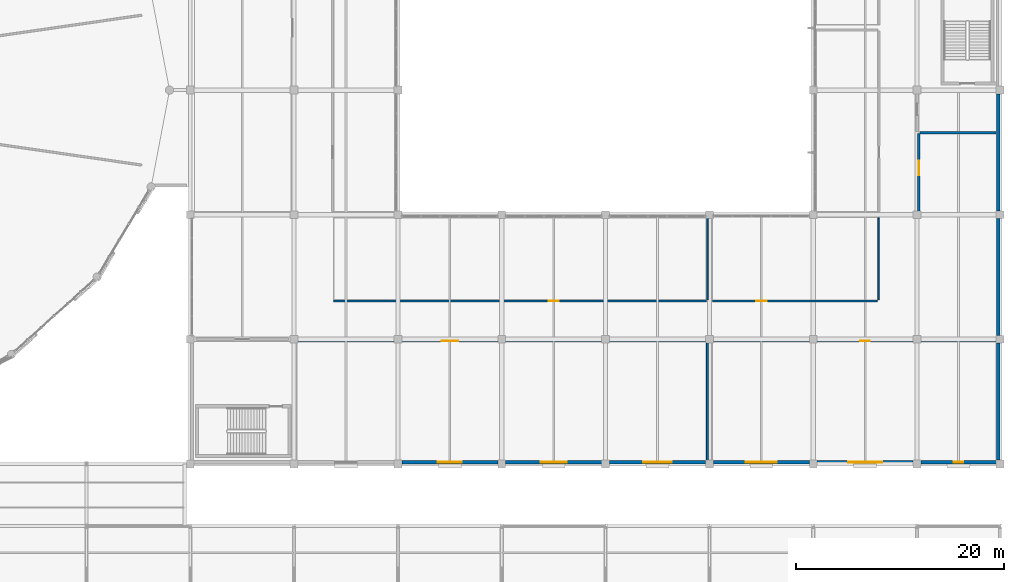
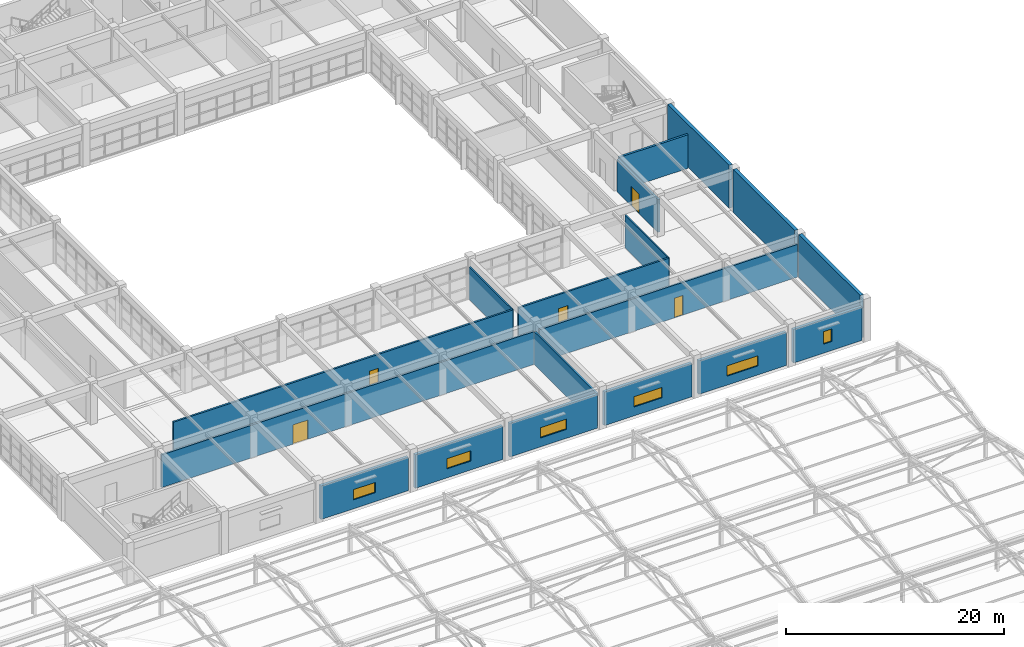
# One storey, part 94 of 109: 18 walls, 6 windows, 5 doors, 11 openings.
"""IFC4 building model written with IfcOpenShell, lengths in metres."""

from ifc_helpers import new_model, si_unit, direction, frame, frame_2d, origin, place, context, subcontext, project, spatial, rectangle, extrude, material, layer, layer_set, type_object, element, fill, save


model = new_model("IFC4")

# Units and contexts
model_context = context("Model", 3, precision=1e-05, world=origin(), true_north=direction((0.0, 1.0)))
body_context = subcontext(model_context, "Body", "Model", "MODEL_VIEW")
ifc_project = project(units=[si_unit("LENGTHUNIT", "METRE"), si_unit("AREAUNIT", "SQUARE_METRE"), si_unit("VOLUMEUNIT", "CUBIC_METRE"), si_unit("PLANEANGLEUNIT", "RADIAN"), si_unit("MASSUNIT", "GRAM", prefix="KILO")], contexts=[model_context])

# Site, building, storey
site_placement = place(None, origin())
site = spatial("IfcSite", under=ifc_project, at=site_placement, CompositionType="ELEMENT")
building_placement = place(site_placement, origin())
building = spatial("IfcBuilding", under=site, at=building_placement, Name="Kivolera Central Railway Station", CompositionType="ELEMENT")
storey_placement = place(building_placement, frame((0.0, 0.0, 9.60009765625)))
storey = spatial("IfcBuildingStorey", under=building, at=storey_placement, Name="L02", CompositionType="ELEMENT", Elevation=9.60009765625)

# Wall, opening, door
ifc_material_1 = material(Name="Concrete C40/50", Category="concrete")
ifc_layer_1 = layer(ifc_material_1, 0.22998046875, Name="Concrete C40/50")
ifc_layer_set_1 = layer_set([ifc_layer_1], Name="Concrete C40/50")
wall_type_1 = type_object("IfcWallType", Name="WL-COMP-230", PredefinedType="PARTITIONING", material=ifc_layer_set_1)
wall_1_placement = place(storey_placement, frame((188.179931640625, 78.300048828125, 0.0), z_axis=(0.0, 0.0, 1.0), x_axis=(0.0, 1.0, 0.0)))
wall_1 = element("IfcWall", 1, at=wall_1_placement, inside=storey, type_object=wall_type_1, Name="L02 Fare-Gate UPS Battery Plant Room Corridor Wall", PredefinedType="PARTITIONING", context=body_context, shape_type="SweptSolid", body=[
    extrude(rectangle(XDim=7.5, YDim=0.22998046875, at=frame_2d((3.75, 0.0))), origin(), (0.0, 0.0, 1.0), 3.657958984375),
])
opening_1_placement = place(wall_1_placement, frame((3.5, 0.0, 0.0)))
opening_1 = element("IfcOpeningElement", 2, at=opening_1_placement, cuts=wall_1, Name="Opening D-PLT-1400", PredefinedType="OPENING", context=body_context, shape_type="SweptSolid", body=[
    extrude(rectangle(XDim=1.39990234375, YDim=2.199951171875, at=frame_2d((0.699951171875, 1.10009765625))), frame((0.0, 0.125, 0.0), z_axis=(0.0, -1.0, 0.0), x_axis=(1.0, 0.0, 0.0)), (0.0, 0.0, 1.0), 0.25),
])
ifc_material_2 = material(Name="Anodised aluminium", Category="aluminium")
door_type_1 = type_object("IfcDoorType", Name="DR-D-PLT-1400", OperationType="NOTDEFINED", PredefinedType="DOOR", material=ifc_material_2)
door_1_placement = place(opening_1_placement, origin())
door_1 = element("IfcDoor", 3, at=door_1_placement, inside=storey, type_object=door_type_1, Name="L02 Fare-Gate UPS Battery Plant Room Door", OperationType="SINGLE_SWING_RIGHT", OverallHeight=2.199951171875, OverallWidth=1.39990234375, PredefinedType="DOOR", context=body_context, shape_type="SweptSolid", body=[
    extrude(rectangle(XDim=1.39990234375, YDim=2.199951171875, at=frame_2d((0.699951171875, 1.10009765625))), frame((0.0, 0.02490234375, 0.0), z_axis=(0.0, -1.0, 0.0), x_axis=(1.0, 0.0, 0.0)), (0.0, 0.0, 1.0), 0.050048828125),
])
fill(opening_1, door_1)

# Wall
wall_2_placement = place(storey_placement, frame((188.300048828125, 85.89990234375, 0.0), z_axis=(0.0, 0.0, 1.0), x_axis=(1.0, 0.0, 0.0)))
element("IfcWall", 4, at=wall_2_placement, inside=storey, type_object=wall_type_1, Name="L02 Fare-Gate UPS Battery Plant Room Partition Wall", PredefinedType="PARTITIONING", context=body_context, shape_type="SweptSolid", body=[
    extrude(rectangle(XDim=7.300048828125, YDim=0.22998046875, at=frame_2d((3.64990234375, 0.0))), origin(), (0.0, 0.0, 1.0), 3.7578125),
])

# Wall, opening, door
ifc_material_3 = material(Name="Swahili coral limestone", Category="masonry")
ifc_layer_2 = layer(ifc_material_3, 0.199951171875, Name="Swahili coral limestone")
ifc_layer_set_2 = layer_set([ifc_layer_2], Name="Swahili coral limestone")
wall_type_2 = type_object("IfcWallType", Name="WL-COR-200", PredefinedType="PARTITIONING", material=ifc_layer_set_2)
wall_3_placement = place(storey_placement, frame((128.300048828125, 65.820068359375, 0.0), z_axis=(0.0, 0.0, 1.0), x_axis=(1.0, 0.0, 0.0)))
wall_3 = element("IfcWall", 5, at=wall_3_placement, inside=storey, type_object=wall_type_2, Name="L02 Intercity Sleeper Lounge Corridor Wall", PredefinedType="PARTITIONING", context=body_context, shape_type="SweptSolid", body=[
    extrude(rectangle(XDim=39.39990234375, YDim=0.199951171875, at=frame_2d((19.699951171875, 0.0))), origin(), (0.0, 0.0, 1.0), 3.657958984375),
])
opening_2_placement = place(wall_3_placement, frame((13.89990234375, 0.0, 0.0)))
opening_2 = element("IfcOpeningElement", 6, at=opening_2_placement, cuts=wall_3, Name="Opening D-DB-02", PredefinedType="OPENING", context=body_context, shape_type="SweptSolid", body=[
    extrude(rectangle(XDim=1.60009765625, YDim=2.14990234375, at=frame_2d((0.800048828125, 1.074951171875))), frame((0.0, 0.10986328125, 0.0), z_axis=(0.0, -1.0, 0.0), x_axis=(1.0, 0.0, 0.0)), (0.0, 0.0, 1.0), 0.219970703125),
])
door_type_2 = type_object("IfcDoorType", Name="DR-D-DB-02", OperationType="NOTDEFINED", PredefinedType="DOOR", material=ifc_material_2)
door_2_placement = place(opening_2_placement, origin())
door_2 = element("IfcDoor", 7, at=door_2_placement, inside=storey, type_object=door_type_2, Name="L02 Intercity Sleeper Lounge Door", OperationType="DOUBLE_DOOR_SINGLE_SWING", OverallHeight=2.14990234375, OverallWidth=1.60009765625, PredefinedType="DOOR", context=body_context, shape_type="SweptSolid", body=[
    extrude(rectangle(XDim=1.60009765625, YDim=2.14990234375, at=frame_2d((0.800048828125, 1.074951171875))), frame((0.0, 0.02490234375, 0.0), z_axis=(0.0, -1.0, 0.0), x_axis=(1.0, 0.0, 0.0)), (0.0, 0.0, 1.0), 0.050048828125),
])
fill(opening_2, door_2)

wall_4_placement = place(storey_placement, frame((168.300048828125, 65.820068359375, 0.0), z_axis=(0.0, 0.0, 1.0), x_axis=(1.0, 0.0, 0.0)))
wall_4 = element("IfcWall", 8, at=wall_4_placement, inside=storey, type_object=wall_type_2, Name="L02 Public Sleeper Passenger Lounge and Shower Suite Corridor Wall", PredefinedType="PARTITIONING", context=body_context, shape_type="SweptSolid", body=[
    extrude(rectangle(XDim=27.300048828125, YDim=0.199951171875, at=frame_2d((13.64990234375, 0.0))), origin(), (0.0, 0.0, 1.0), 3.657958984375),
])
opening_3_placement = place(wall_4_placement, frame((14.25, 0.0, 0.0)))
opening_3 = element("IfcOpeningElement", 9, at=opening_3_placement, cuts=wall_4, Name="Opening D-SG-07", PredefinedType="OPENING", context=body_context, shape_type="SweptSolid", body=[
    extrude(rectangle(XDim=0.89990234375, YDim=2.199951171875, at=frame_2d((0.449951171875, 1.10009765625))), frame((0.0, 0.10986328125, 0.0), z_axis=(0.0, -1.0, 0.0), x_axis=(1.0, 0.0, 0.0)), (0.0, 0.0, 1.0), 0.219970703125),
])
ifc_material_4 = material(Name="Hardwood mvule timber", Category="wood")
door_type_3 = type_object("IfcDoorType", Name="DR-D-SG-07", OperationType="NOTDEFINED", PredefinedType="DOOR", material=ifc_material_4)
door_3_placement = place(opening_3_placement, origin())
door_3 = element("IfcDoor", 10, at=door_3_placement, inside=storey, type_object=door_type_3, Name="L02 Public Sleeper Passenger Lounge and Shower Suite Door", OperationType="SINGLE_SWING_LEFT", OverallHeight=2.199951171875, OverallWidth=0.89990234375, PredefinedType="DOOR", context=body_context, shape_type="SweptSolid", body=[
    extrude(rectangle(XDim=0.89990234375, YDim=2.199951171875, at=frame_2d((0.449951171875, 1.10009765625))), frame((0.0, 0.02490234375, 0.0), z_axis=(0.0, -1.0, 0.0), x_axis=(1.0, 0.0, 0.0)), (0.0, 0.0, 1.0), 0.050048828125),
])
fill(opening_3, door_3)

wall_5_placement = place(storey_placement, frame((131.800048828125, 69.679931640625, 0.0), z_axis=(0.0, 0.0, 1.0), x_axis=(1.0, 0.0, 0.0)))
wall_5 = element("IfcWall", 11, at=wall_5_placement, inside=storey, type_object=wall_type_2, Name="L02 Duty-Free Regional Travel Shop Corridor Wall", PredefinedType="PARTITIONING", context=body_context, shape_type="SweptSolid", body=[
    extrude(rectangle(XDim=35.89990234375, YDim=0.199951171875, at=frame_2d((17.949951171875, 0.0))), origin(), (0.0, 0.0, 1.0), 3.7578125),
])
opening_4_placement = place(wall_5_placement, frame((20.72509765625, 0.0, 0.0)))
opening_4 = element("IfcOpeningElement", 12, at=opening_4_placement, cuts=wall_5, Name="Opening D-SG-08", PredefinedType="OPENING", context=body_context, shape_type="SweptSolid", body=[
    extrude(rectangle(XDim=0.949951171875, YDim=2.199951171875, at=frame_2d((0.47509765625, 1.10009765625))), frame((0.0, 0.10986328125, 0.0), z_axis=(0.0, -1.0, 0.0), x_axis=(1.0, 0.0, 0.0)), (0.0, 0.0, 1.0), 0.219970703125),
])
door_type_4 = type_object("IfcDoorType", Name="DR-D-SG-08", OperationType="NOTDEFINED", PredefinedType="DOOR", material=ifc_material_4)
door_4_placement = place(opening_4_placement, origin())
door_4 = element("IfcDoor", 13, at=door_4_placement, inside=storey, type_object=door_type_4, Name="L02 Duty-Free Regional Travel Shop Door", OperationType="SINGLE_SWING_RIGHT", OverallHeight=2.199951171875, OverallWidth=0.949951171875, PredefinedType="DOOR", context=body_context, shape_type="SweptSolid", body=[
    extrude(rectangle(XDim=0.949951171875, YDim=2.199951171875, at=frame_2d((0.47509765625, 1.10009765625))), frame((0.0, 0.02490234375, 0.0), z_axis=(0.0, -1.0, 0.0), x_axis=(1.0, 0.0, 0.0)), (0.0, 0.0, 1.0), 0.050048828125),
])
fill(opening_4, door_4)

wall_6_placement = place(storey_placement, frame((168.300048828125, 69.679931640625, 0.0), z_axis=(0.0, 0.0, 1.0), x_axis=(1.0, 0.0, 0.0)))
wall_6 = element("IfcWall", 14, at=wall_6_placement, inside=storey, type_object=wall_type_2, Name="L02 Luggage Goods Boutique Shop Corridor Wall", PredefinedType="PARTITIONING", context=body_context, shape_type="SweptSolid", body=[
    extrude(rectangle(XDim=15.89990234375, YDim=0.199951171875, at=frame_2d((7.949951171875, 0.0))), origin(), (0.0, 0.0, 1.0), 3.7578125),
])
opening_5_placement = place(wall_6_placement, frame((4.199951171875, 0.0, 0.0)))
opening_5 = element("IfcOpeningElement", 15, at=opening_5_placement, cuts=wall_6, Name="Opening D-SG-09", PredefinedType="OPENING", context=body_context, shape_type="SweptSolid", body=[
    extrude(rectangle(XDim=1.0, YDim=2.199951171875, at=frame_2d((0.5, 1.10009765625))), frame((0.0, 0.10986328125, 0.0), z_axis=(0.0, -1.0, 0.0), x_axis=(1.0, 0.0, 0.0)), (0.0, 0.0, 1.0), 0.219970703125),
])
door_type_5 = type_object("IfcDoorType", Name="DR-D-SG-09", OperationType="NOTDEFINED", PredefinedType="DOOR", material=ifc_material_4)
door_5_placement = place(opening_5_placement, origin())
door_5 = element("IfcDoor", 16, at=door_5_placement, inside=storey, type_object=door_type_5, Name="L02 Luggage Goods Boutique Shop Door", OperationType="SINGLE_SWING_LEFT", OverallHeight=2.199951171875, OverallWidth=1.0, PredefinedType="DOOR", context=body_context, shape_type="SweptSolid", body=[
    extrude(rectangle(XDim=1.0, YDim=2.199951171875, at=frame_2d((0.5, 1.10009765625))), frame((0.0, 0.02490234375, 0.0), z_axis=(0.0, -1.0, 0.0), x_axis=(1.0, 0.0, 0.0)), (0.0, 0.0, 1.0), 0.050048828125),
])
fill(opening_5, door_5)

# Wall, opening, window
ifc_layer_3 = layer(ifc_material_3, 0.304931640625, Name="Swahili coral limestone")
ifc_layer_set_3 = layer_set([ifc_layer_3], Name="Swahili coral limestone")
wall_type_3 = type_object("IfcWallType", Name="WL-EXT-CORAL-305", PredefinedType="SOLIDWALL", material=ifc_layer_set_3)
wall_7_placement = place(storey_placement, frame((147.6298828125, 54.153076171875, 0.0), z_axis=(0.0, 0.0, 1.0), x_axis=(-1.0, 0.0, 0.0)))
wall_7 = element("IfcWall", 17, at=wall_7_placement, inside=storey, type_object=wall_type_3, Name="L02 South Facade Wall 138-148", PredefinedType="SOLIDWALL", context=body_context, shape_type="SweptSolid", body=[
    extrude(rectangle(XDim=9.259765625, YDim=0.304931640625, at=frame_2d((4.6298828125, 0.0))), origin(), (0.0, 0.0, 1.0), 3.7578125),
])
opening_6_placement = place(wall_7_placement, frame((3.47998046875, 0.0, 1.0)))
opening_6 = element("IfcOpeningElement", 18, at=opening_6_placement, cuts=wall_7, Name="Opening WN-08", PredefinedType="OPENING", context=body_context, shape_type="SweptSolid", body=[
    extrude(rectangle(XDim=2.300048828125, YDim=1.14990234375, at=frame_2d((1.14990234375, 0.574951171875))), frame((0.0, 0.162353515625, 0.0), z_axis=(0.0, -1.0, 0.0), x_axis=(1.0, 0.0, 0.0)), (0.0, 0.0, 1.0), 0.324951171875),
])
ifc_material_5 = material(Name="Double low-E laminated glass", Category="glass")
window_type_1 = type_object("IfcWindowType", Name="WIN-WN-08", PartitioningType="SINGLE_PANEL", PredefinedType="WINDOW", material=ifc_material_5)
window_1_placement = place(opening_6_placement, origin())
window_1 = element("IfcWindow", 19, at=window_1_placement, inside=storey, type_object=window_type_1, Name="L02 South Facade Window 138", OverallHeight=1.14990234375, OverallWidth=2.300048828125, PartitioningType="SINGLE_PANEL", PredefinedType="WINDOW", context=body_context, shape_type="SweptSolid", body=[
    extrude(rectangle(XDim=2.300048828125, YDim=1.14990234375, at=frame_2d((1.14990234375, 0.574951171875))), frame((0.0, 0.030029296875, 0.0), z_axis=(0.0, -1.0, 0.0), x_axis=(1.0, 0.0, 0.0)), (0.0, 0.0, 1.0), 0.06005859375),
])
fill(opening_6, window_1)

wall_8_placement = place(storey_placement, frame((157.6298828125, 54.153076171875, 0.0), z_axis=(0.0, 0.0, 1.0), x_axis=(-1.0, 0.0, 0.0)))
wall_8 = element("IfcWall", 20, at=wall_8_placement, inside=storey, type_object=wall_type_3, Name="L02 South Facade Wall 148-158", PredefinedType="SOLIDWALL", context=body_context, shape_type="SweptSolid", body=[
    extrude(rectangle(XDim=9.259765625, YDim=0.304931640625, at=frame_2d((4.6298828125, 0.0))), origin(), (0.0, 0.0, 1.0), 3.7578125),
])
opening_7_placement = place(wall_8_placement, frame((3.3798828125, 0.0, 1.0)))
opening_7 = element("IfcOpeningElement", 21, at=opening_7_placement, cuts=wall_8, Name="Opening WN-09", PredefinedType="OPENING", context=body_context, shape_type="SweptSolid", body=[
    extrude(rectangle(XDim=2.5, YDim=1.14990234375, at=frame_2d((1.25, 0.574951171875))), frame((0.0, 0.162353515625, 0.0), z_axis=(0.0, -1.0, 0.0), x_axis=(1.0, 0.0, 0.0)), (0.0, 0.0, 1.0), 0.324951171875),
])
window_type_2 = type_object("IfcWindowType", Name="WIN-WN-09", PartitioningType="SINGLE_PANEL", PredefinedType="WINDOW", material=ifc_material_5)
window_2_placement = place(opening_7_placement, origin())
window_2 = element("IfcWindow", 22, at=window_2_placement, inside=storey, type_object=window_type_2, Name="L02 South Facade Window 148", OverallHeight=1.14990234375, OverallWidth=2.5, PartitioningType="SINGLE_PANEL", PredefinedType="WINDOW", context=body_context, shape_type="SweptSolid", body=[
    extrude(rectangle(XDim=2.5, YDim=1.14990234375, at=frame_2d((1.25, 0.574951171875))), frame((0.0, 0.030029296875, 0.0), z_axis=(0.0, -1.0, 0.0), x_axis=(1.0, 0.0, 0.0)), (0.0, 0.0, 1.0), 0.06005859375),
])
fill(opening_7, window_2)

wall_9_placement = place(storey_placement, frame((167.6298828125, 54.153076171875, 0.0), z_axis=(0.0, 0.0, 1.0), x_axis=(-1.0, 0.0, 0.0)))
wall_9 = element("IfcWall", 23, at=wall_9_placement, inside=storey, type_object=wall_type_3, Name="L02 South Facade Wall 158-168", PredefinedType="SOLIDWALL", context=body_context, shape_type="SweptSolid", body=[
    extrude(rectangle(XDim=9.259765625, YDim=0.304931640625, at=frame_2d((4.6298828125, 0.0))), origin(), (0.0, 0.0, 1.0), 3.7578125),
])
opening_8_placement = place(wall_9_placement, frame((3.2548828125, 0.0, 1.0)))
opening_8 = element("IfcOpeningElement", 24, at=opening_8_placement, cuts=wall_9, Name="Opening WN-10", PredefinedType="OPENING", context=body_context, shape_type="SweptSolid", body=[
    extrude(rectangle(XDim=2.75, YDim=1.14990234375, at=frame_2d((1.375, 0.574951171875))), frame((0.0, 0.162353515625, 0.0), z_axis=(0.0, -1.0, 0.0), x_axis=(1.0, 0.0, 0.0)), (0.0, 0.0, 1.0), 0.324951171875),
])
window_type_3 = type_object("IfcWindowType", Name="WIN-WN-10", PartitioningType="SINGLE_PANEL", PredefinedType="WINDOW", material=ifc_material_5)
window_3_placement = place(opening_8_placement, origin())
window_3 = element("IfcWindow", 25, at=window_3_placement, inside=storey, type_object=window_type_3, Name="L02 South Facade Window 158", OverallHeight=1.14990234375, OverallWidth=2.75, PartitioningType="SINGLE_PANEL", PredefinedType="WINDOW", context=body_context, shape_type="SweptSolid", body=[
    extrude(rectangle(XDim=2.75, YDim=1.14990234375, at=frame_2d((1.375, 0.574951171875))), frame((0.0, 0.030029296875, 0.0), z_axis=(0.0, -1.0, 0.0), x_axis=(1.0, 0.0, 0.0)), (0.0, 0.0, 1.0), 0.06005859375),
])
fill(opening_8, window_3)

wall_10_placement = place(storey_placement, frame((177.6298828125, 54.153076171875, 0.0), z_axis=(0.0, 0.0, 1.0), x_axis=(-1.0, 0.0, 0.0)))
wall_10 = element("IfcWall", 26, at=wall_10_placement, inside=storey, type_object=wall_type_3, Name="L02 South Facade Wall 168-178", PredefinedType="SOLIDWALL", context=body_context, shape_type="SweptSolid", body=[
    extrude(rectangle(XDim=9.259765625, YDim=0.304931640625, at=frame_2d((4.6298828125, 0.0))), origin(), (0.0, 0.0, 1.0), 3.7578125),
])
opening_9_placement = place(wall_10_placement, frame((3.1298828125, 0.0, 1.0)))
opening_9 = element("IfcOpeningElement", 27, at=opening_9_placement, cuts=wall_10, Name="Opening WN-11", PredefinedType="OPENING", context=body_context, shape_type="SweptSolid", body=[
    extrude(rectangle(XDim=3.0, YDim=1.14990234375, at=frame_2d((1.5, 0.574951171875))), frame((0.0, 0.162353515625, 0.0), z_axis=(0.0, -1.0, 0.0), x_axis=(1.0, 0.0, 0.0)), (0.0, 0.0, 1.0), 0.324951171875),
])
window_type_4 = type_object("IfcWindowType", Name="WIN-WN-11", PartitioningType="SINGLE_PANEL", PredefinedType="WINDOW", material=ifc_material_5)
window_4_placement = place(opening_9_placement, origin())
window_4 = element("IfcWindow", 28, at=window_4_placement, inside=storey, type_object=window_type_4, Name="L02 South Facade Window 168", OverallHeight=1.14990234375, OverallWidth=3.0, PartitioningType="SINGLE_PANEL", PredefinedType="WINDOW", context=body_context, shape_type="SweptSolid", body=[
    extrude(rectangle(XDim=3.0, YDim=1.14990234375, at=frame_2d((1.5, 0.574951171875))), frame((0.0, 0.030029296875, 0.0), z_axis=(0.0, -1.0, 0.0), x_axis=(1.0, 0.0, 0.0)), (0.0, 0.0, 1.0), 0.06005859375),
])
fill(opening_9, window_4)

wall_11_placement = place(storey_placement, frame((187.6298828125, 54.153076171875, 0.0), z_axis=(0.0, 0.0, 1.0), x_axis=(-1.0, 0.0, 0.0)))
wall_11 = element("IfcWall", 29, at=wall_11_placement, inside=storey, type_object=wall_type_3, Name="L02 South Facade Wall 178-188", PredefinedType="SOLIDWALL", context=body_context, shape_type="SweptSolid", body=[
    extrude(rectangle(XDim=9.259765625, YDim=0.304931640625, at=frame_2d((4.6298828125, 0.0))), origin(), (0.0, 0.0, 1.0), 3.7578125),
])
opening_10_placement = place(wall_11_placement, frame((3.0048828125, 0.0, 1.0)))
opening_10 = element("IfcOpeningElement", 30, at=opening_10_placement, cuts=wall_11, Name="Opening WN-12", PredefinedType="OPENING", context=body_context, shape_type="SweptSolid", body=[
    extrude(rectangle(XDim=3.25, YDim=1.14990234375, at=frame_2d((1.625, 0.574951171875))), frame((0.0, 0.162353515625, 0.0), z_axis=(0.0, -1.0, 0.0), x_axis=(1.0, 0.0, 0.0)), (0.0, 0.0, 1.0), 0.324951171875),
])
window_type_5 = type_object("IfcWindowType", Name="WIN-WN-12", PartitioningType="SINGLE_PANEL", PredefinedType="WINDOW", material=ifc_material_5)
window_5_placement = place(opening_10_placement, origin())
window_5 = element("IfcWindow", 31, at=window_5_placement, inside=storey, type_object=window_type_5, Name="L02 South Facade Window 178", OverallHeight=1.14990234375, OverallWidth=3.25, PartitioningType="SINGLE_PANEL", PredefinedType="WINDOW", context=body_context, shape_type="SweptSolid", body=[
    extrude(rectangle(XDim=3.25, YDim=1.14990234375, at=frame_2d((1.625, 0.574951171875))), frame((0.0, 0.030029296875, 0.0), z_axis=(0.0, -1.0, 0.0), x_axis=(1.0, 0.0, 0.0)), (0.0, 0.0, 1.0), 0.06005859375),
])
fill(opening_10, window_5)

wall_12_placement = place(storey_placement, frame((195.6298828125, 54.153076171875, 0.0), z_axis=(0.0, 0.0, 1.0), x_axis=(-1.0, 0.0, 0.0)))
wall_12 = element("IfcWall", 32, at=wall_12_placement, inside=storey, type_object=wall_type_3, Name="L02 South Facade Wall 188-196", PredefinedType="SOLIDWALL", context=body_context, shape_type="SweptSolid", body=[
    extrude(rectangle(XDim=7.259765625, YDim=0.304931640625, at=frame_2d((3.6298828125, 0.0))), origin(), (0.0, 0.0, 1.0), 3.7578125),
])
opening_11_placement = place(wall_12_placement, frame((3.179931640625, 0.0, 1.0)))
opening_11 = element("IfcOpeningElement", 33, at=opening_11_placement, cuts=wall_12, Name="Opening WN-13", PredefinedType="OPENING", context=body_context, shape_type="SweptSolid", body=[
    extrude(rectangle(XDim=0.89990234375, YDim=1.39990234375, at=frame_2d((0.449951171875, 0.699951171875))), frame((0.0, 0.162353515625, 0.0), z_axis=(0.0, -1.0, 0.0), x_axis=(1.0, 0.0, 0.0)), (0.0, 0.0, 1.0), 0.324951171875),
])
window_type_6 = type_object("IfcWindowType", Name="WIN-WN-13", PartitioningType="SINGLE_PANEL", PredefinedType="WINDOW", material=ifc_material_5)
window_6_placement = place(opening_11_placement, origin())
window_6 = element("IfcWindow", 34, at=window_6_placement, inside=storey, type_object=window_type_6, Name="L02 South Facade Window 188", OverallHeight=1.39990234375, OverallWidth=0.89990234375, PartitioningType="SINGLE_PANEL", PredefinedType="WINDOW", context=body_context, shape_type="SweptSolid", body=[
    extrude(rectangle(XDim=0.89990234375, YDim=1.39990234375, at=frame_2d((0.449951171875, 0.699951171875))), frame((0.0, 0.030029296875, 0.0), z_axis=(0.0, -1.0, 0.0), x_axis=(1.0, 0.0, 0.0)), (0.0, 0.0, 1.0), 0.06005859375),
])
fill(opening_11, window_6)

# Walls
ifc_layer_4 = layer(ifc_material_1, 0.35009765625, Name="Concrete C40/50")
ifc_layer_set_4 = layer_set([ifc_layer_4], Name="Concrete C40/50")
wall_type_4 = type_object("IfcWallType", Name="WL-PARTY-350", PredefinedType="SOLIDWALL", material=ifc_layer_set_4)
for number, where, z_axis, x_axis, name in (
    (35, (195.824951171875, 65.6298828125, 0.0), (0.0, 0.0, 1.0), (0.0, -1.0, 0.0), "L02 East Infill EI 120 Party Wall 54-66"),
    (36, (195.824951171875, 77.6298828125, 0.0), (0.0, 0.0, 1.0), (0.0, -1.0, 0.0), "L02 East Infill EI 120 Party Wall 66-78"),
    (37, (195.824951171875, 89.6298828125, 0.0), (0.0, 0.0, 1.0), (0.0, -1.0, 0.0), "L02 East Infill EI 120 Party Wall 78-90"),
):
    element("IfcWall", number, at=place(storey_placement, frame(where, z_axis=z_axis, x_axis=x_axis)), inside=storey, type_object=wall_type_4, Name=name, PredefinedType="SOLIDWALL", context=body_context, shape_type="SweptSolid", body=[
        extrude(rectangle(XDim=11.259765625, YDim=0.35009765625, at=frame_2d((5.6298828125, 0.0))), origin(), (0.0, 0.0, 1.0), 4.7998046875),
    ])
ifc_material_6 = material(Name="Gypsum plasterboard steel-stud partition")
ifc_layer_5 = layer(ifc_material_6, 0.135009765625, Name="Gypsum plasterboard steel-stud partition")
ifc_layer_set_5 = layer_set([ifc_layer_5], Name="Gypsum plasterboard steel-stud partition")
wall_type_5 = type_object("IfcWallType", Name="WL-PRT-135", PredefinedType="PARTITIONING", material=ifc_layer_set_5)
wall_13_placement = place(storey_placement, frame((184.300048828125, 69.800048828125, 0.0), z_axis=(0.0, 0.0, 1.0), x_axis=(0.0, 1.0, 0.0)))
element("IfcWall", 38, at=wall_13_placement, inside=storey, type_object=wall_type_5, Name="L02 Luggage Goods Boutique Shop Partition Wall", PredefinedType="PARTITIONING", context=body_context, shape_type="SweptSolid", body=[
    extrude(rectangle(XDim=7.89990234375, YDim=0.135009765625, at=frame_2d((3.949951171875, 0.0))), origin(), (0.0, 0.0, 1.0), 3.657958984375),
])
ifc_layer_6 = layer(ifc_material_6, 0.14990234375, Name="Gypsum plasterboard steel-stud partition")
ifc_layer_set_6 = layer_set([ifc_layer_6], Name="Gypsum plasterboard steel-stud partition")
wall_type_6 = type_object("IfcWallType", Name="WL-PRT-150", PredefinedType="PARTITIONING", material=ifc_layer_set_6)
wall_14_placement = place(storey_placement, frame((167.800048828125, 69.800048828125, 0.0), z_axis=(0.0, 0.0, 1.0), x_axis=(0.0, 1.0, 0.0)))
element("IfcWall", 39, at=wall_14_placement, inside=storey, type_object=wall_type_6, Name="L02 Duty-Free Regional Travel Shop Partition Wall", PredefinedType="PARTITIONING", context=body_context, shape_type="SweptSolid", body=[
    extrude(rectangle(XDim=7.89990234375, YDim=0.14990234375, at=frame_2d((3.949951171875, 0.0))), origin(), (0.0, 0.0, 1.0), 3.657958984375),
])
ifc_layer_7 = layer(ifc_material_6, 0.179931640625, Name="Gypsum plasterboard steel-stud partition")
ifc_layer_set_7 = layer_set([ifc_layer_7], Name="Gypsum plasterboard steel-stud partition")
wall_type_7 = type_object("IfcWallType", Name="WL-PRT-180", PredefinedType="PARTITIONING", material=ifc_layer_set_7)
wall_15_placement = place(storey_placement, frame((167.800048828125, 54.300048828125, 0.0), z_axis=(0.0, 0.0, 1.0), x_axis=(0.0, 1.0, 0.0)))
element("IfcWall", 40, at=wall_15_placement, inside=storey, type_object=wall_type_7, Name="L02 Intercity Sleeper Lounge Partition Wall", PredefinedType="PARTITIONING", context=body_context, shape_type="SweptSolid", body=[
    extrude(rectangle(XDim=11.39990234375, YDim=0.179931640625, at=frame_2d((5.699951171875, 0.0))), origin(), (0.0, 0.0, 1.0), 3.657958984375),
])

save(model, "model.ifc")
